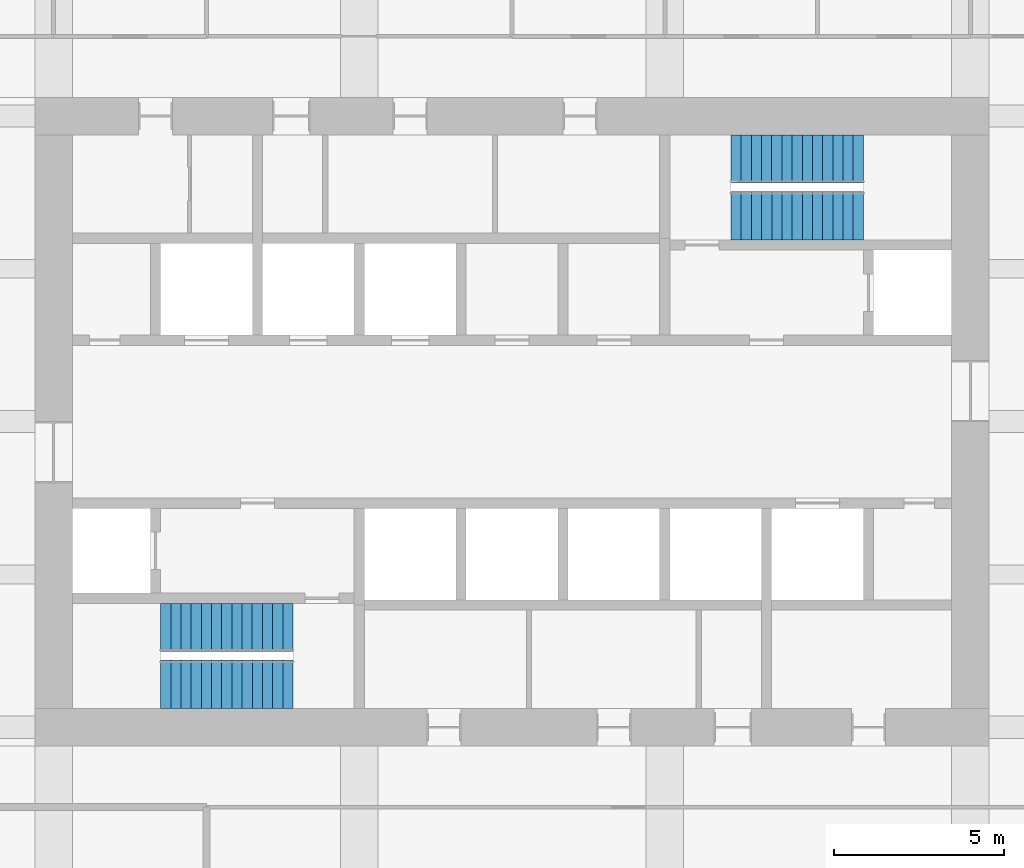
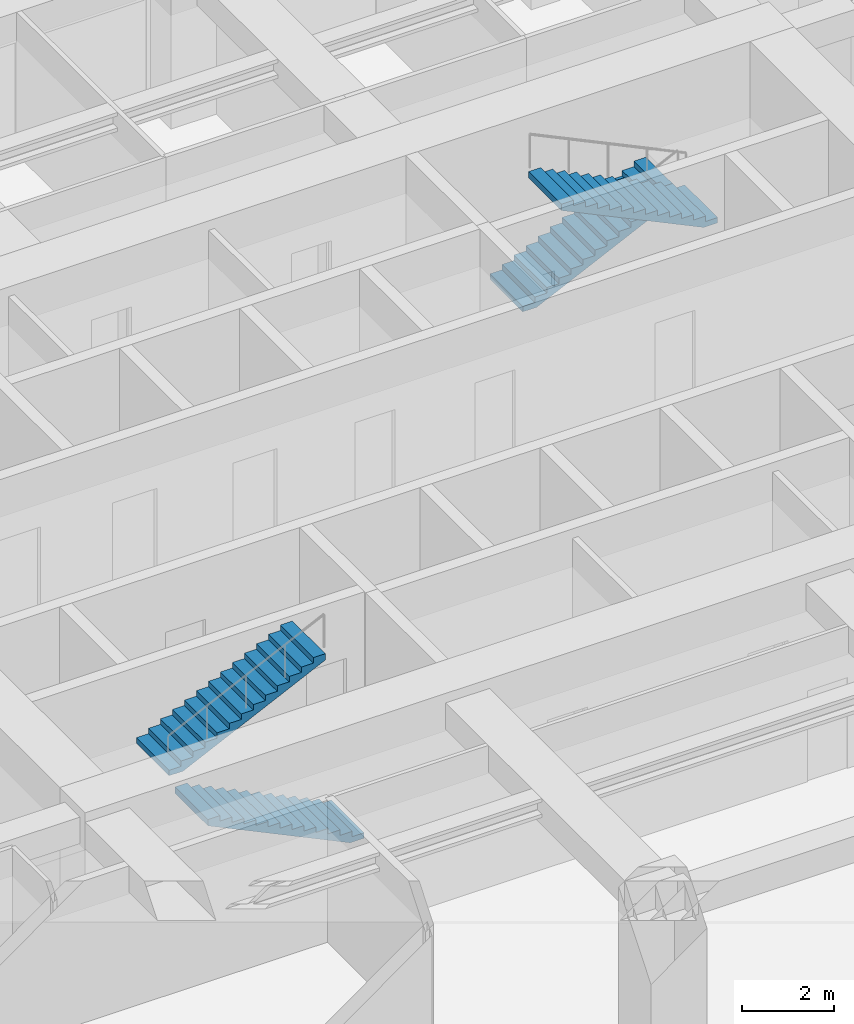
# One storey, part 32 of 33: 4 stair flights, 2 elements without a shape of their own.
"""IFC4 building model written with IfcOpenShell, lengths in metres."""

from ifc_helpers import new_model, si_unit, direction, frame, origin, place, context, subcontext, project, spatial, polyline, outline, extrude, material, type_object, element, aggregate, save


model = new_model("IFC4")

# Units and contexts
model_context = context("Model", 3, precision=1e-05, world=origin(), true_north=direction((0.0, 1.0)))
body_context = subcontext(model_context, "Body", "Model", "MODEL_VIEW")
ifc_project = project(units=[si_unit("LENGTHUNIT", "METRE"), si_unit("AREAUNIT", "SQUARE_METRE"), si_unit("VOLUMEUNIT", "CUBIC_METRE"), si_unit("PLANEANGLEUNIT", "RADIAN"), si_unit("MASSUNIT", "GRAM", prefix="KILO")], contexts=[model_context])

# Site, building, storey
site_placement = place(None, origin())
site = spatial("IfcSite", under=ifc_project, at=site_placement, CompositionType="ELEMENT")
building_placement = place(site_placement, origin())
building = spatial("IfcBuilding", under=site, at=building_placement, Name="Zorevar Civic Tower", CompositionType="ELEMENT")
storey_placement = place(building_placement, frame((0.0, 0.0, 206.199951171875)))
storey = spatial("IfcBuildingStorey", under=building, at=storey_placement, Name="L50", CompositionType="ELEMENT", Elevation=206.199951171875)

# Stair, stair flights
ifc_material_1 = material(Name="Precast concrete C40/50", Category="concrete")
stair_type = type_object("IfcStairType", Name="Stair ST 28R", PredefinedType="HALF_TURN_STAIR", material=ifc_material_1)
stair_1_placement = place(storey_placement, origin())
stair_1 = element("IfcStair", 1, at=stair_1_placement, inside=storey, type_object=stair_type, Name="Stair ST1 L50", PredefinedType="HALF_TURN_STAIR")
ifc_material_2 = material(Name="Precast concrete C40/50", Category="concrete")
stair_flight_type = type_object("IfcStairFlightType", Name="Stair flight", PredefinedType="STRAIGHT", material=ifc_material_2)
stair_flight_1_placement = place(storey_placement, frame((25.050048828125, 19.262451171875, 0.0), z_axis=(0.0, 0.0, 1.0), x_axis=(-1.0, 0.0, 0.0)))
stair_flight_1 = element("IfcStairFlight", 2, at=stair_flight_1_placement, type_object=stair_flight_type, Name="ST1 flight 1", NumberOfRisers=14, NumberOfTreads=13, PredefinedType="STRAIGHT", RiserHeight=0.142857143, TreadLength=0.3, context=body_context, shape_type="SweptSolid", body=[
    extrude(outline(polyline([(0.0, 0.0), (0.0, 0.142822265625), (0.300048828125, 0.142822265625), (0.300048828125, 0.28564453125), (0.60009765625, 0.28564453125), (0.60009765625, 0.428466796875), (0.89990234375, 0.428466796875), (0.89990234375, 0.571533203125), (1.199951171875, 0.571533203125), (1.199951171875, 0.71435546875), (1.5, 0.71435546875), (1.5, 0.857177734375), (1.800048828125, 0.857177734375), (1.800048828125, 1.0), (2.10009765625, 1.0), (2.10009765625, 1.142822265625), (2.39990234375, 1.142822265625), (2.39990234375, 1.28564453125), (2.699951171875, 1.28564453125), (2.699951171875, 1.428466796875), (3.0, 1.428466796875), (3.0, 1.571533203125), (3.300048828125, 1.571533203125), (3.300048828125, 1.71435546875), (3.60009765625, 1.71435546875), (3.60009765625, 1.857177734375), (3.89990234375, 1.857177734375), (3.89990234375, 2.0), (3.89990234375, 1.691162109375), (0.3486328125, 0.0), (0.0, 0.0)])), frame((0.0, 0.71240234375, 0.0), z_axis=(0.0, -1.0, 0.0), x_axis=(1.0, 0.0, 0.0)), (0.0, 0.0, 1.0), 1.425048828125),
])
stair_flight_2_placement = place(storey_placement, frame((21.14990234375, 20.9375, 2.0), z_axis=(0.0, 0.0, 1.0), x_axis=(1.0, 0.0, 0.0)))
stair_flight_2 = element("IfcStairFlight", 3, at=stair_flight_2_placement, type_object=stair_flight_type, Name="ST1 flight 2", NumberOfRisers=14, NumberOfTreads=13, PredefinedType="STRAIGHT", RiserHeight=0.142857143, TreadLength=0.3, context=body_context, shape_type="SweptSolid", body=[
    extrude(outline(polyline([(0.0, 0.0), (0.0, 0.142822265625), (0.300048828125, 0.142822265625), (0.300048828125, 0.28564453125), (0.60009765625, 0.28564453125), (0.60009765625, 0.428466796875), (0.89990234375, 0.428466796875), (0.89990234375, 0.571533203125), (1.199951171875, 0.571533203125), (1.199951171875, 0.71435546875), (1.5, 0.71435546875), (1.5, 0.857177734375), (1.800048828125, 0.857177734375), (1.800048828125, 1.0), (2.10009765625, 1.0), (2.10009765625, 1.142822265625), (2.39990234375, 1.142822265625), (2.39990234375, 1.28564453125), (2.699951171875, 1.28564453125), (2.699951171875, 1.428466796875), (3.0, 1.428466796875), (3.0, 1.571533203125), (3.300048828125, 1.571533203125), (3.300048828125, 1.71435546875), (3.60009765625, 1.71435546875), (3.60009765625, 1.857177734375), (3.89990234375, 1.857177734375), (3.89990234375, 2.0), (3.89990234375, 1.691162109375), (0.3486328125, 0.0), (0.0, 0.0)])), frame((0.0, 0.71240234375, 0.0), z_axis=(0.0, -1.0, 0.0), x_axis=(1.0, 0.0, 0.0)), (0.0, 0.0, 1.0), 1.425048828125),
])
aggregate(stair_1, [stair_flight_1, stair_flight_2])

stair_2_placement = place(storey_placement, origin())
stair_2 = element("IfcStair", 4, at=stair_2_placement, inside=storey, type_object=stair_type, Name="Stair ST2 L50", PredefinedType="HALF_TURN_STAIR")
stair_flight_3_placement = place(storey_placement, frame((37.949951171875, 34.737548828125, 0.0), z_axis=(0.0, 0.0, 1.0), x_axis=(1.0, 0.0, 0.0)))
stair_flight_3 = element("IfcStairFlight", 5, at=stair_flight_3_placement, type_object=stair_flight_type, Name="ST2 flight 1", NumberOfRisers=14, NumberOfTreads=13, PredefinedType="STRAIGHT", RiserHeight=0.142857143, TreadLength=0.3, context=body_context, shape_type="SweptSolid", body=[
    extrude(outline(polyline([(0.0, 0.0), (0.0, 0.142822265625), (0.300048828125, 0.142822265625), (0.300048828125, 0.28564453125), (0.60009765625, 0.28564453125), (0.60009765625, 0.428466796875), (0.89990234375, 0.428466796875), (0.89990234375, 0.571533203125), (1.199951171875, 0.571533203125), (1.199951171875, 0.71435546875), (1.5, 0.71435546875), (1.5, 0.857177734375), (1.800048828125, 0.857177734375), (1.800048828125, 1.0), (2.10009765625, 1.0), (2.10009765625, 1.142822265625), (2.39990234375, 1.142822265625), (2.39990234375, 1.28564453125), (2.699951171875, 1.28564453125), (2.699951171875, 1.428466796875), (3.0, 1.428466796875), (3.0, 1.571533203125), (3.300048828125, 1.571533203125), (3.300048828125, 1.71435546875), (3.60009765625, 1.71435546875), (3.60009765625, 1.857177734375), (3.89990234375, 1.857177734375), (3.89990234375, 2.0), (3.89990234375, 1.691162109375), (0.3486328125, 0.0), (0.0, 0.0)])), frame((0.0, 0.71240234375, 0.0), z_axis=(0.0, -1.0, 0.0), x_axis=(1.0, 0.0, 0.0)), (0.0, 0.0, 1.0), 1.425048828125),
])
stair_flight_4_placement = place(storey_placement, frame((41.85009765625, 33.0625, 2.0), z_axis=(0.0, 0.0, 1.0), x_axis=(-1.0, 0.0, 0.0)))
stair_flight_4 = element("IfcStairFlight", 6, at=stair_flight_4_placement, type_object=stair_flight_type, Name="ST2 flight 2", NumberOfRisers=14, NumberOfTreads=13, PredefinedType="STRAIGHT", RiserHeight=0.142857143, TreadLength=0.3, context=body_context, shape_type="SweptSolid", body=[
    extrude(outline(polyline([(0.0, 0.0), (0.0, 0.142822265625), (0.300048828125, 0.142822265625), (0.300048828125, 0.28564453125), (0.60009765625, 0.28564453125), (0.60009765625, 0.428466796875), (0.89990234375, 0.428466796875), (0.89990234375, 0.571533203125), (1.199951171875, 0.571533203125), (1.199951171875, 0.71435546875), (1.5, 0.71435546875), (1.5, 0.857177734375), (1.800048828125, 0.857177734375), (1.800048828125, 1.0), (2.10009765625, 1.0), (2.10009765625, 1.142822265625), (2.39990234375, 1.142822265625), (2.39990234375, 1.28564453125), (2.699951171875, 1.28564453125), (2.699951171875, 1.428466796875), (3.0, 1.428466796875), (3.0, 1.571533203125), (3.300048828125, 1.571533203125), (3.300048828125, 1.71435546875), (3.60009765625, 1.71435546875), (3.60009765625, 1.857177734375), (3.89990234375, 1.857177734375), (3.89990234375, 2.0), (3.89990234375, 1.691162109375), (0.3486328125, 0.0), (0.0, 0.0)])), frame((0.0, 0.71240234375, 0.0), z_axis=(0.0, -1.0, 0.0), x_axis=(1.0, 0.0, 0.0)), (0.0, 0.0, 1.0), 1.425048828125),
])
aggregate(stair_2, [stair_flight_3, stair_flight_4])

save(model, "model.ifc")
